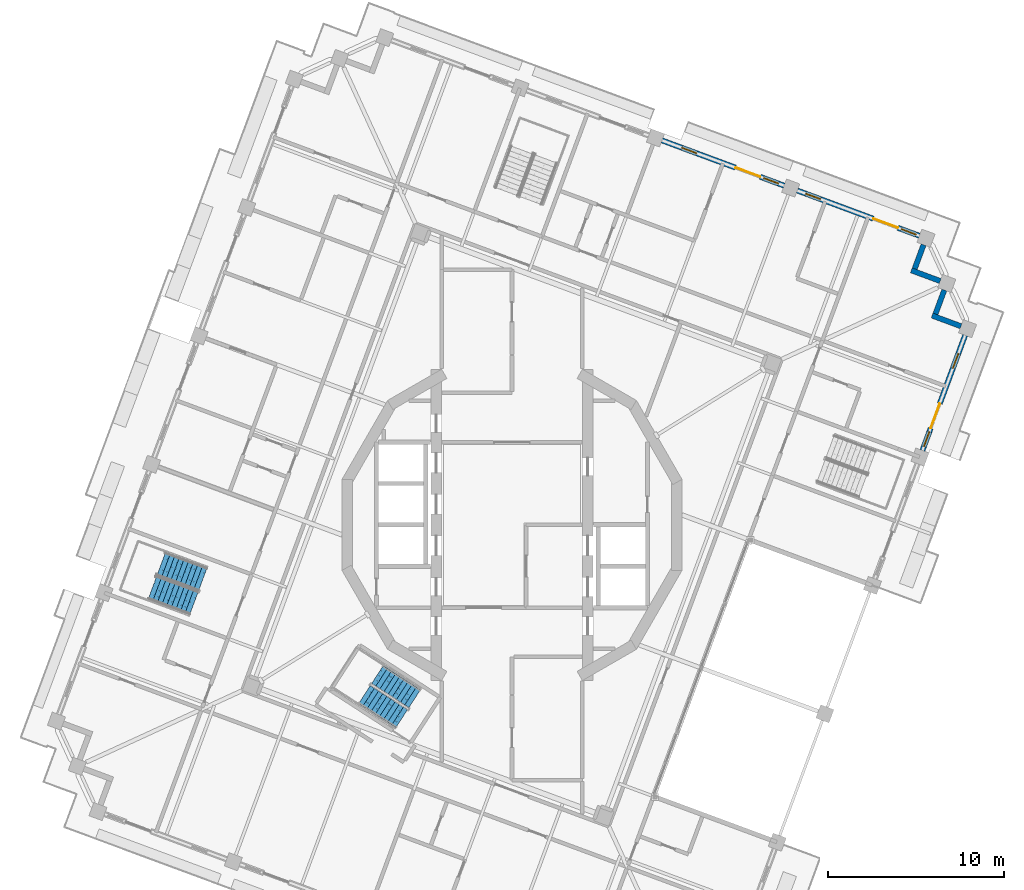
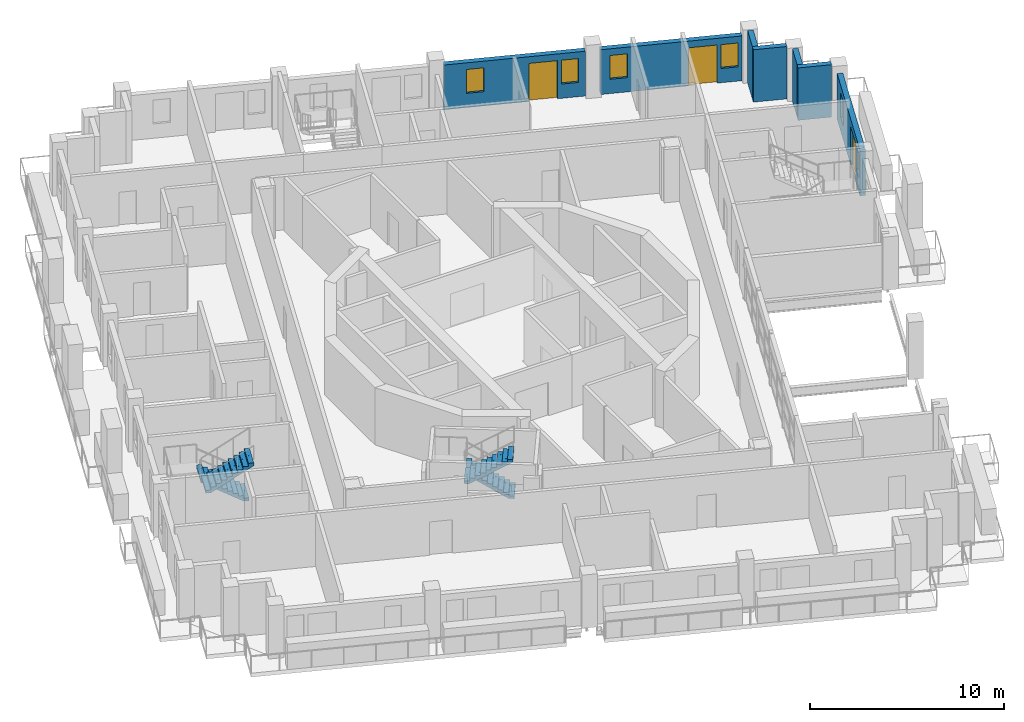
# One storey, part 11 of 19: 7 walls, 6 windows, 4 stair flights, 3 doors, 9 openings, 2 elements without a shape of their own.
"""IFC4 building model written with IfcOpenShell, lengths in metres."""

from ifc_helpers import new_model, si_unit, direction, frame, frame_2d, origin, place, context, subcontext, project, spatial, polyline, rectangle, outline, extrude, material, layer, layer_set, type_object, element, fill, aggregate, save


model = new_model("IFC4")

# Units and contexts
model_context = context("Model", 3, precision=1e-05, world=origin(), true_north=direction((0.0, 1.0)))
body_context = subcontext(model_context, "Body", "Model", "MODEL_VIEW")
ifc_project = project(units=[si_unit("LENGTHUNIT", "METRE"), si_unit("AREAUNIT", "SQUARE_METRE"), si_unit("VOLUMEUNIT", "CUBIC_METRE"), si_unit("PLANEANGLEUNIT", "RADIAN"), si_unit("MASSUNIT", "GRAM", prefix="KILO")], contexts=[model_context])

# Site, building, storey
site_placement = place(None, origin())
site = spatial("IfcSite", under=ifc_project, at=site_placement, CompositionType="ELEMENT")
building_placement = place(site_placement, origin())
building = spatial("IfcBuilding", under=site, at=building_placement, Name="Cantera Rosa Tower", CompositionType="ELEMENT")
storey_placement = place(building_placement, frame((0.0, 0.0, 334.89990234375)))
storey = spatial("IfcBuildingStorey", under=building, at=storey_placement, Name="L75", CompositionType="ELEMENT", Elevation=334.89990234375)

# Walls
ifc_material_1 = material(Name="Hollow clay masonry with cantera stone cladding", Category="masonry")
ifc_layer_1 = layer(ifc_material_1, 0.300048828125)
ifc_layer_set_1 = layer_set([ifc_layer_1], Name="EW-LOGGIA 300")
wall_type_1 = type_object("IfcWallType", Name="EW-LOGGIA 300", PredefinedType="SOLIDWALL", material=ifc_layer_set_1)
wall_1_placement = place(storey_placement, frame((25.51220703125, 11.288330078125, 0.0), z_axis=(0.0, 0.0, 1.0), x_axis=(-0.937669639538, 0.34752790836, 0.0)))
element("IfcWall", 1, at=wall_1_placement, inside=storey, type_object=wall_type_1, Name="EN-L75-W25a", PredefinedType="SOLIDWALL", context=body_context, shape_type="SweptSolid", body=[
    extrude(rectangle(XDim=1.75, YDim=0.300048828125, at=frame_2d((0.875, 0.0))), origin(), (0.0, 0.0, 1.0), 3.300048828125),
])
wall_2_placement = place(storey_placement, frame((24.06396484375, 11.985107421875, 0.0), z_axis=(0.0, 0.0, 1.0), x_axis=(0.347522732201, 0.937671557958, 0.0)))
element("IfcWall", 2, at=wall_2_placement, inside=storey, type_object=wall_type_1, Name="EN-L75-W25b", PredefinedType="SOLIDWALL", context=body_context, shape_type="SweptSolid", body=[
    extrude(rectangle(XDim=1.449951171875, YDim=0.300048828125, at=frame_2d((0.72509765625, 0.0))), origin(), (0.0, 0.0, 1.0), 3.300048828125),
])
wall_3_placement = place(storey_placement, frame((24.331787109375, 13.858642578125, 0.0), z_axis=(0.0, 0.0, 1.0), x_axis=(-0.937669639538, 0.34752790836, 0.0)))
element("IfcWall", 3, at=wall_3_placement, inside=storey, type_object=wall_type_1, Name="EN-L75-W26a", PredefinedType="SOLIDWALL", context=body_context, shape_type="SweptSolid", body=[
    extrude(rectangle(XDim=1.75, YDim=0.300048828125, at=frame_2d((0.875, 0.0))), origin(), (0.0, 0.0, 1.0), 3.300048828125),
])
wall_4_placement = place(storey_placement, frame((22.883544921875, 14.555419921875, 0.0), z_axis=(0.0, 0.0, 1.0), x_axis=(0.347522732201, 0.937671557958, 0.0)))
element("IfcWall", 4, at=wall_4_placement, inside=storey, type_object=wall_type_1, Name="EN-L75-W26b", PredefinedType="SOLIDWALL", context=body_context, shape_type="SweptSolid", body=[
    extrude(rectangle(XDim=1.449951171875, YDim=0.300048828125, at=frame_2d((0.72509765625, 0.0))), origin(), (0.0, 0.0, 1.0), 3.300048828125),
])

# Wall, openings, windows, door
ifc_material_2 = material(Name="Hollow clay masonry with cantera stone cladding", Category="masonry")
ifc_layer_2 = layer(ifc_material_2, 0.300048828125)
ifc_layer_set_2 = layer_set([ifc_layer_2], Name="EW-LOGGIA 300 H2820")
wall_type_2 = type_object("IfcWallType", Name="EW-LOGGIA 300 H2820", PredefinedType="SOLIDWALL", material=ifc_layer_set_2)
wall_5_placement = place(storey_placement, frame((23.1513671875, 16.428955078125, 0.0), z_axis=(0.0, 0.0, 1.0), x_axis=(-0.937676706507, 0.347508840281, 0.0)))
wall_5 = element("IfcWall", 5, at=wall_5_placement, inside=storey, type_object=wall_type_2, Name="EN-L75-W01", PredefinedType="SOLIDWALL", context=body_context, shape_type="SweptSolid", body=[
    extrude(rectangle(XDim=7.39990234375, YDim=0.300048828125, at=frame_2d((3.699951171875, 0.0))), origin(), (0.0, 0.0, 1.0), 2.820068359375),
])
opening_1_placement = place(wall_5_placement, frame((0.199951171875, 0.0, 0.89990234375)))
opening_1 = element("IfcOpeningElement", 6, at=opening_1_placement, cuts=wall_5, Name="Opening L75-W01", PredefinedType="OPENING", context=body_context, shape_type="SweptSolid", body=[
    extrude(rectangle(XDim=0.89990234375, YDim=1.5, at=frame_2d((0.449951171875, 0.75))), frame((0.0, 0.159912109375, 0.0), z_axis=(0.0, -1.0, 0.0), x_axis=(1.0, 0.0, 0.0)), (0.0, 0.0, 1.0), 0.320068359375),
])
opening_2_placement = place(wall_5_placement, frame((1.300048828125, 0.0, 0.0)))
opening_2 = element("IfcOpeningElement", 7, at=opening_2_placement, cuts=wall_5, Name="Opening L75-TD02", PredefinedType="OPENING", context=body_context, shape_type="SweptSolid", body=[
    extrude(rectangle(XDim=1.5, YDim=2.39990234375, at=frame_2d((0.75, 1.199951171875))), frame((0.0, 0.159912109375, 0.0), z_axis=(0.0, -1.0, 0.0), x_axis=(1.0, 0.0, 0.0)), (0.0, 0.0, 1.0), 0.320068359375),
])
opening_3_placement = place(wall_5_placement, frame((6.0, 0.0, 0.89990234375)))
opening_3 = element("IfcOpeningElement", 8, at=opening_3_placement, cuts=wall_5, Name="Opening L75-W03", PredefinedType="OPENING", context=body_context, shape_type="SweptSolid", body=[
    extrude(rectangle(XDim=0.89990234375, YDim=1.5, at=frame_2d((0.449951171875, 0.75))), frame((0.0, 0.159912109375, 0.0), z_axis=(0.0, -1.0, 0.0), x_axis=(1.0, 0.0, 0.0)), (0.0, 0.0, 1.0), 0.320068359375),
])
ifc_material_3 = material(Name="Aluminium frame with clear glass", Category="aluminium")
window_type = type_object("IfcWindowType", Name="Residential window 900x1500", PartitioningType="SINGLE_PANEL", PredefinedType="WINDOW", material=ifc_material_3)
window_1_placement = place(opening_1_placement, origin())
window_1 = element("IfcWindow", 9, at=window_1_placement, inside=storey, type_object=window_type, Name="WINDOW L75-W01", OverallHeight=1.5, OverallWidth=0.89990234375, PartitioningType="SINGLE_PANEL", PredefinedType="WINDOW", context=body_context, shape_type="SweptSolid", body=[
    extrude(rectangle(XDim=0.89990234375, YDim=1.5, at=frame_2d((0.449951171875, 0.75))), frame((0.0, 0.030029296875, 0.0), z_axis=(0.0, -1.0, 0.0), x_axis=(1.0, 0.0, 0.0)), (0.0, 0.0, 1.0), 0.06005859375),
])
fill(opening_1, window_1)
window_2_placement = place(opening_3_placement, origin())
window_2 = element("IfcWindow", 10, at=window_2_placement, inside=storey, type_object=window_type, Name="WINDOW L75-W03", OverallHeight=1.5, OverallWidth=0.89990234375, PartitioningType="SINGLE_PANEL", PredefinedType="WINDOW", context=body_context, shape_type="SweptSolid", body=[
    extrude(rectangle(XDim=0.89990234375, YDim=1.5, at=frame_2d((0.449951171875, 0.75))), frame((0.0, 0.030029296875, 0.0), z_axis=(0.0, -1.0, 0.0), x_axis=(1.0, 0.0, 0.0)), (0.0, 0.0, 1.0), 0.06005859375),
])
fill(opening_3, window_2)
ifc_material_4 = material(Name="Aluminium frame with clear glass", Category="aluminium")
door_type = type_object("IfcDoorType", Name="TD-R 1500x2400", OperationType="NOTDEFINED", PredefinedType="DOOR", material=ifc_material_4)
door_1_placement = place(opening_2_placement, origin())
door_1 = element("IfcDoor", 11, at=door_1_placement, inside=storey, type_object=door_type, Name="LOGGIA DOOR L75-TD02", OperationType="SLIDING_TO_LEFT", OverallHeight=2.39990234375, OverallWidth=1.5, PredefinedType="DOOR", context=body_context, shape_type="SweptSolid", body=[
    extrude(rectangle(XDim=1.5, YDim=2.39990234375, at=frame_2d((0.75, 1.199951171875))), frame((0.0, 0.02490234375, 0.0), z_axis=(0.0, -1.0, 0.0), x_axis=(1.0, 0.0, 0.0)), (0.0, 0.0, 1.0), 0.050048828125),
])
fill(opening_2, door_1)

wall_6_placement = place(storey_placement, frame((15.46240234375, 19.2783203125, 0.0), z_axis=(0.0, 0.0, 1.0), x_axis=(-0.937680690562, 0.34749808999, 0.0)))
wall_6 = element("IfcWall", 12, at=wall_6_placement, inside=storey, type_object=wall_type_2, Name="EN-L75-W02", PredefinedType="SOLIDWALL", context=body_context, shape_type="SweptSolid", body=[
    extrude(rectangle(XDim=7.400146484375, YDim=0.300048828125, at=frame_2d((3.7001953125, 0.0))), origin(), (0.0, 0.0, 1.0), 2.820068359375),
])
opening_4_placement = place(wall_6_placement, frame((0.35009765625, 0.0, 0.89990234375)))
opening_4 = element("IfcOpeningElement", 13, at=opening_4_placement, cuts=wall_6, Name="Opening L75-W04", PredefinedType="OPENING", context=body_context, shape_type="SweptSolid", body=[
    extrude(rectangle(XDim=0.89990234375, YDim=1.5, at=frame_2d((0.449951171875, 0.75))), frame((0.0, 0.159912109375, 0.0), z_axis=(0.0, -1.0, 0.0), x_axis=(1.0, 0.0, 0.0)), (0.0, 0.0, 1.0), 0.320068359375),
])
opening_5_placement = place(wall_6_placement, frame((1.449951171875, 0.0, 0.0)))
opening_5 = element("IfcOpeningElement", 14, at=opening_5_placement, cuts=wall_6, Name="Opening L75-TD05", PredefinedType="OPENING", context=body_context, shape_type="SweptSolid", body=[
    extrude(rectangle(XDim=1.5, YDim=2.39990234375, at=frame_2d((0.75, 1.199951171875))), frame((0.0, 0.159912109375, 0.0), z_axis=(0.0, -1.0, 0.0), x_axis=(1.0, 0.0, 0.0)), (0.0, 0.0, 1.0), 0.320068359375),
])
opening_6_placement = place(wall_6_placement, frame((5.300048828125, 0.0, 0.89990234375)))
opening_6 = element("IfcOpeningElement", 15, at=opening_6_placement, cuts=wall_6, Name="Opening L75-W06", PredefinedType="OPENING", context=body_context, shape_type="SweptSolid", body=[
    extrude(rectangle(XDim=0.89990234375, YDim=1.5, at=frame_2d((0.449951171875, 0.75))), frame((0.0, 0.159912109375, 0.0), z_axis=(0.0, -1.0, 0.0), x_axis=(1.0, 0.0, 0.0)), (0.0, 0.0, 1.0), 0.320068359375),
])
window_3_placement = place(opening_4_placement, origin())
window_3 = element("IfcWindow", 16, at=window_3_placement, inside=storey, type_object=window_type, Name="WINDOW L75-W04", OverallHeight=1.5, OverallWidth=0.89990234375, PartitioningType="SINGLE_PANEL", PredefinedType="WINDOW", context=body_context, shape_type="SweptSolid", body=[
    extrude(rectangle(XDim=0.89990234375, YDim=1.5, at=frame_2d((0.449951171875, 0.75))), frame((0.0, 0.030029296875, 0.0), z_axis=(0.0, -1.0, 0.0), x_axis=(1.0, 0.0, 0.0)), (0.0, 0.0, 1.0), 0.06005859375),
])
fill(opening_4, window_3)
window_4_placement = place(opening_6_placement, origin())
window_4 = element("IfcWindow", 17, at=window_4_placement, inside=storey, type_object=window_type, Name="WINDOW L75-W06", OverallHeight=1.5, OverallWidth=0.89990234375, PartitioningType="SINGLE_PANEL", PredefinedType="WINDOW", context=body_context, shape_type="SweptSolid", body=[
    extrude(rectangle(XDim=0.89990234375, YDim=1.5, at=frame_2d((0.449951171875, 0.75))), frame((0.0, 0.030029296875, 0.0), z_axis=(0.0, -1.0, 0.0), x_axis=(1.0, 0.0, 0.0)), (0.0, 0.0, 1.0), 0.06005859375),
])
fill(opening_6, window_4)
door_2_placement = place(opening_5_placement, origin())
door_2 = element("IfcDoor", 18, at=door_2_placement, inside=storey, type_object=door_type, Name="LOGGIA DOOR L75-TD05", OperationType="SLIDING_TO_LEFT", OverallHeight=2.39990234375, OverallWidth=1.5, PredefinedType="DOOR", context=body_context, shape_type="SweptSolid", body=[
    extrude(rectangle(XDim=1.5, YDim=2.39990234375, at=frame_2d((0.75, 1.199951171875))), frame((0.0, 0.02490234375, 0.0), z_axis=(0.0, -1.0, 0.0), x_axis=(1.0, 0.0, 0.0)), (0.0, 0.0, 1.0), 0.050048828125),
])
fill(opening_5, door_2)

ifc_material_5 = material(Name="Hollow clay masonry with cantera stone cladding", Category="masonry")
ifc_layer_3 = layer(ifc_material_5, 0.300048828125)
ifc_layer_set_3 = layer_set([ifc_layer_3], Name="EW-LOGGIA 300 H2890")
wall_type_3 = type_object("IfcWallType", Name="EW-LOGGIA 300 H2890", PredefinedType="SOLIDWALL", material=ifc_layer_set_3)
wall_7_placement = place(storey_placement, frame((23.322998046875, 4.229248046875, 0.0), z_axis=(0.0, 0.0, 1.0), x_axis=(0.347460165909, 0.937694744097, 0.0)))
wall_7 = element("IfcWall", 19, at=wall_7_placement, inside=storey, type_object=wall_type_3, Name="EN-L75-W24", PredefinedType="SOLIDWALL", context=body_context, shape_type="SweptSolid", body=[
    extrude(rectangle(XDim=6.97998046875, YDim=0.300048828125, at=frame_2d((3.489990234375, 0.0))), origin(), (0.0, 0.0, 1.0), 2.89013671875),
])
opening_7_placement = place(wall_7_placement, frame((0.2451171875, 0.0, 0.89990234375)))
opening_7 = element("IfcOpeningElement", 20, at=opening_7_placement, cuts=wall_7, Name="Opening L75-W46", PredefinedType="OPENING", context=body_context, shape_type="SweptSolid", body=[
    extrude(rectangle(XDim=0.89990234375, YDim=1.5, at=frame_2d((0.449951171875, 0.75))), frame((0.0, 0.159912109375, 0.0), z_axis=(0.0, -1.0, 0.0), x_axis=(1.0, 0.0, 0.0)), (0.0, 0.0, 1.0), 0.320068359375),
])
opening_8_placement = place(wall_7_placement, frame((1.344970703125, 0.0, 0.0)))
opening_8 = element("IfcOpeningElement", 21, at=opening_8_placement, cuts=wall_7, Name="Opening L75-TD47", PredefinedType="OPENING", context=body_context, shape_type="SweptSolid", body=[
    extrude(rectangle(XDim=1.5, YDim=2.39990234375, at=frame_2d((0.75, 1.199951171875))), frame((0.0, 0.159912109375, 0.0), z_axis=(0.0, -1.0, 0.0), x_axis=(1.0, 0.0, 0.0)), (0.0, 0.0, 1.0), 0.320068359375),
])
opening_9_placement = place(wall_7_placement, frame((4.985107421875, 0.0, 0.89990234375)))
opening_9 = element("IfcOpeningElement", 22, at=opening_9_placement, cuts=wall_7, Name="Opening L75-W48", PredefinedType="OPENING", context=body_context, shape_type="SweptSolid", body=[
    extrude(rectangle(XDim=0.89990234375, YDim=1.5, at=frame_2d((0.449951171875, 0.75))), frame((0.0, 0.159912109375, 0.0), z_axis=(0.0, -1.0, 0.0), x_axis=(1.0, 0.0, 0.0)), (0.0, 0.0, 1.0), 0.320068359375),
])
window_5_placement = place(opening_7_placement, origin())
window_5 = element("IfcWindow", 23, at=window_5_placement, inside=storey, type_object=window_type, Name="WINDOW L75-W46", OverallHeight=1.5, OverallWidth=0.89990234375, PartitioningType="SINGLE_PANEL", PredefinedType="WINDOW", context=body_context, shape_type="SweptSolid", body=[
    extrude(rectangle(XDim=0.89990234375, YDim=1.5, at=frame_2d((0.449951171875, 0.75))), frame((0.0, 0.030029296875, 0.0), z_axis=(0.0, -1.0, 0.0), x_axis=(1.0, 0.0, 0.0)), (0.0, 0.0, 1.0), 0.06005859375),
])
fill(opening_7, window_5)
window_6_placement = place(opening_9_placement, origin())
window_6 = element("IfcWindow", 24, at=window_6_placement, inside=storey, type_object=window_type, Name="WINDOW L75-W48", OverallHeight=1.5, OverallWidth=0.89990234375, PartitioningType="SINGLE_PANEL", PredefinedType="WINDOW", context=body_context, shape_type="SweptSolid", body=[
    extrude(rectangle(XDim=0.89990234375, YDim=1.5, at=frame_2d((0.449951171875, 0.75))), frame((0.0, 0.030029296875, 0.0), z_axis=(0.0, -1.0, 0.0), x_axis=(1.0, 0.0, 0.0)), (0.0, 0.0, 1.0), 0.06005859375),
])
fill(opening_9, window_6)
door_3_placement = place(opening_8_placement, origin())
door_3 = element("IfcDoor", 25, at=door_3_placement, inside=storey, type_object=door_type, Name="LOGGIA DOOR L75-TD47", OperationType="SLIDING_TO_LEFT", OverallHeight=2.39990234375, OverallWidth=1.5, PredefinedType="DOOR", context=body_context, shape_type="SweptSolid", body=[
    extrude(rectangle(XDim=1.5, YDim=2.39990234375, at=frame_2d((0.75, 1.199951171875))), frame((0.0, 0.02490234375, 0.0), z_axis=(0.0, -1.0, 0.0), x_axis=(1.0, 0.0, 0.0)), (0.0, 0.0, 1.0), 0.050048828125),
])
fill(opening_8, door_3)

# Stair, stair flights
ifc_material_6 = material(Name="Concrete C35/45", Category="concrete")
stair_type_1 = type_object("IfcStairType", Name="EXIT STAIR 1200 DOGLEG", PredefinedType="HALF_TURN_STAIR", material=ifc_material_6)
stair_1_placement = place(storey_placement, origin())
stair_1 = element("IfcStair", 26, at=stair_1_placement, inside=storey, type_object=stair_type_1, Name="L75 ST-64", PredefinedType="HALF_TURN_STAIR")
ifc_material_7 = material(Name="Concrete C35/45", Category="concrete")
stair_flight_type_1 = type_object("IfcStairFlightType", Name="STAIR FLIGHT 1200 R20x180", PredefinedType="STRAIGHT", material=ifc_material_7)
stair_flight_1_placement = place(storey_placement, frame((-5.532470703125, -9.878173828125, 0.0), z_axis=(0.0, 0.0, 1.0), x_axis=(-0.838670567945, 0.544639035015, 0.0)))
stair_flight_1 = element("IfcStairFlight", 27, at=stair_flight_1_placement, type_object=stair_flight_type_1, Name="ST-64 flight 1", NumberOfRisers=10, NumberOfTreads=9, PredefinedType="STRAIGHT", RiserHeight=0.18, TreadLength=0.28, context=body_context, shape_type="SweptSolid", body=[
    extrude(outline(polyline([(0.0, 0.0), (0.0, 0.179931640625), (0.280029296875, 0.179931640625), (0.280029296875, 0.360107421875), (0.56005859375, 0.360107421875), (0.56005859375, 0.5400390625), (0.840087890625, 0.5400390625), (0.840087890625, 0.719970703125), (1.1201171875, 0.719970703125), (1.1201171875, 0.89990234375), (1.39990234375, 0.89990234375), (1.39990234375, 1.080078125), (1.679931640625, 1.080078125), (1.679931640625, 1.260009765625), (1.9599609375, 1.260009765625), (1.9599609375, 1.43994140625), (2.239990234375, 1.43994140625), (2.239990234375, 1.6201171875), (2.52001953125, 1.6201171875), (2.52001953125, 1.800048828125), (2.52001953125, 1.44189453125), (0.277099609375, 0.0), (0.0, 0.0)])), frame((0.0, 0.60009765625, 0.0), z_axis=(0.0, -1.0, 0.0), x_axis=(1.0, 0.0, 0.0)), (0.0, 0.0, 1.0), 0.298583984375),
    extrude(outline(polyline([(0.0, 0.0), (0.0, 0.179931640625), (0.280029296875, 0.179931640625), (0.280029296875, 0.360107421875), (0.56005859375, 0.360107421875), (0.56005859375, 0.5400390625), (0.840087890625, 0.5400390625), (0.840087890625, 0.719970703125), (1.1201171875, 0.719970703125), (1.1201171875, 0.89990234375), (1.39990234375, 0.89990234375), (1.39990234375, 1.080078125), (1.679931640625, 1.080078125), (1.679931640625, 1.260009765625), (1.9599609375, 1.260009765625), (1.9599609375, 1.43994140625), (2.239990234375, 1.43994140625), (2.239990234375, 1.6201171875), (2.52001953125, 1.6201171875), (2.52001953125, 1.800048828125), (2.52001953125, 1.44189453125), (0.277099609375, 0.0), (0.0, 0.0)])), frame((0.0, 0.29931640625, 0.0), z_axis=(0.0, -1.0, 0.0), x_axis=(1.0, 0.0, 0.0)), (0.0, 0.0, 1.0), 0.298583984375),
    extrude(outline(polyline([(0.0, 0.0), (0.0, 0.179931640625), (0.280029296875, 0.179931640625), (0.280029296875, 0.360107421875), (0.56005859375, 0.360107421875), (0.56005859375, 0.5400390625), (0.840087890625, 0.5400390625), (0.840087890625, 0.719970703125), (1.1201171875, 0.719970703125), (1.1201171875, 0.89990234375), (1.39990234375, 0.89990234375), (1.39990234375, 1.080078125), (1.679931640625, 1.080078125), (1.679931640625, 1.260009765625), (1.9599609375, 1.260009765625), (1.9599609375, 1.43994140625), (2.239990234375, 1.43994140625), (2.239990234375, 1.6201171875), (2.52001953125, 1.6201171875), (2.52001953125, 1.800048828125), (2.52001953125, 1.44189453125), (0.277099609375, 0.0), (0.0, 0.0)])), frame((0.0, -0.0009765625, 0.0), z_axis=(0.0, -1.0, 0.0), x_axis=(1.0, 0.0, 0.0)), (0.0, 0.0, 1.0), 0.298583984375),
    extrude(outline(polyline([(0.0, 0.0), (0.0, 0.179931640625), (0.280029296875, 0.179931640625), (0.280029296875, 0.360107421875), (0.56005859375, 0.360107421875), (0.56005859375, 0.5400390625), (0.840087890625, 0.5400390625), (0.840087890625, 0.719970703125), (1.1201171875, 0.719970703125), (1.1201171875, 0.89990234375), (1.39990234375, 0.89990234375), (1.39990234375, 1.080078125), (1.679931640625, 1.080078125), (1.679931640625, 1.260009765625), (1.9599609375, 1.260009765625), (1.9599609375, 1.43994140625), (2.239990234375, 1.43994140625), (2.239990234375, 1.6201171875), (2.52001953125, 1.6201171875), (2.52001953125, 1.800048828125), (2.52001953125, 1.44189453125), (0.277099609375, 0.0), (0.0, 0.0)])), frame((0.0, -0.3017578125, 0.0), z_axis=(0.0, -1.0, 0.0), x_axis=(1.0, 0.0, 0.0)), (0.0, 0.0, 1.0), 0.298583984375),
])
stair_flight_2_placement = place(storey_placement, frame((-8.381103515625, -9.6376953125, 1.800048828125), z_axis=(0.0, 0.0, 1.0), x_axis=(0.838670567945, -0.544639035015, 0.0)))
stair_flight_2 = element("IfcStairFlight", 28, at=stair_flight_2_placement, type_object=stair_flight_type_1, Name="ST-64 flight 2", NumberOfRisers=10, NumberOfTreads=9, PredefinedType="STRAIGHT", RiserHeight=0.18, TreadLength=0.28, context=body_context, shape_type="SweptSolid", body=[
    extrude(outline(polyline([(0.0, 0.0), (0.0, 0.179931640625), (0.280029296875, 0.179931640625), (0.280029296875, 0.360107421875), (0.56005859375, 0.360107421875), (0.56005859375, 0.5400390625), (0.840087890625, 0.5400390625), (0.840087890625, 0.719970703125), (1.1201171875, 0.719970703125), (1.1201171875, 0.89990234375), (1.39990234375, 0.89990234375), (1.39990234375, 1.080078125), (1.679931640625, 1.080078125), (1.679931640625, 1.260009765625), (1.9599609375, 1.260009765625), (1.9599609375, 1.43994140625), (2.239990234375, 1.43994140625), (2.239990234375, 1.6201171875), (2.52001953125, 1.6201171875), (2.52001953125, 1.800048828125), (2.52001953125, 1.44189453125), (0.277099609375, 0.0), (0.0, 0.0)])), frame((0.0, 0.60009765625, 0.0), z_axis=(0.0, -1.0, 0.0), x_axis=(1.0, 0.0, 0.0)), (0.0, 0.0, 1.0), 0.298583984375),
    extrude(outline(polyline([(0.0, 0.0), (0.0, 0.179931640625), (0.280029296875, 0.179931640625), (0.280029296875, 0.360107421875), (0.56005859375, 0.360107421875), (0.56005859375, 0.5400390625), (0.840087890625, 0.5400390625), (0.840087890625, 0.719970703125), (1.1201171875, 0.719970703125), (1.1201171875, 0.89990234375), (1.39990234375, 0.89990234375), (1.39990234375, 1.080078125), (1.679931640625, 1.080078125), (1.679931640625, 1.260009765625), (1.9599609375, 1.260009765625), (1.9599609375, 1.43994140625), (2.239990234375, 1.43994140625), (2.239990234375, 1.6201171875), (2.52001953125, 1.6201171875), (2.52001953125, 1.800048828125), (2.52001953125, 1.44189453125), (0.277099609375, 0.0), (0.0, 0.0)])), frame((0.0, 0.29931640625, 0.0), z_axis=(0.0, -1.0, 0.0), x_axis=(1.0, 0.0, 0.0)), (0.0, 0.0, 1.0), 0.298583984375),
    extrude(outline(polyline([(0.0, 0.0), (0.0, 0.179931640625), (0.280029296875, 0.179931640625), (0.280029296875, 0.360107421875), (0.56005859375, 0.360107421875), (0.56005859375, 0.5400390625), (0.840087890625, 0.5400390625), (0.840087890625, 0.719970703125), (1.1201171875, 0.719970703125), (1.1201171875, 0.89990234375), (1.39990234375, 0.89990234375), (1.39990234375, 1.080078125), (1.679931640625, 1.080078125), (1.679931640625, 1.260009765625), (1.9599609375, 1.260009765625), (1.9599609375, 1.43994140625), (2.239990234375, 1.43994140625), (2.239990234375, 1.6201171875), (2.52001953125, 1.6201171875), (2.52001953125, 1.800048828125), (2.52001953125, 1.44189453125), (0.277099609375, 0.0), (0.0, 0.0)])), frame((0.0, -0.0009765625, 0.0), z_axis=(0.0, -1.0, 0.0), x_axis=(1.0, 0.0, 0.0)), (0.0, 0.0, 1.0), 0.298583984375),
    extrude(outline(polyline([(0.0, 0.0), (0.0, 0.179931640625), (0.280029296875, 0.179931640625), (0.280029296875, 0.360107421875), (0.56005859375, 0.360107421875), (0.56005859375, 0.5400390625), (0.840087890625, 0.5400390625), (0.840087890625, 0.719970703125), (1.1201171875, 0.719970703125), (1.1201171875, 0.89990234375), (1.39990234375, 0.89990234375), (1.39990234375, 1.080078125), (1.679931640625, 1.080078125), (1.679931640625, 1.260009765625), (1.9599609375, 1.260009765625), (1.9599609375, 1.43994140625), (2.239990234375, 1.43994140625), (2.239990234375, 1.6201171875), (2.52001953125, 1.6201171875), (2.52001953125, 1.800048828125), (2.52001953125, 1.44189453125), (0.277099609375, 0.0), (0.0, 0.0)])), frame((0.0, -0.3017578125, 0.0), z_axis=(0.0, -1.0, 0.0), x_axis=(1.0, 0.0, 0.0)), (0.0, 0.0, 1.0), 0.298583984375),
])
aggregate(stair_1, [stair_flight_1, stair_flight_2])

ifc_material_8 = material(Name="Concrete C35/45", Category="concrete")
stair_type_2 = type_object("IfcStairType", Name="EXIT STAIR 1350 DOGLEG", PredefinedType="HALF_TURN_STAIR", material=ifc_material_8)
stair_2_placement = place(storey_placement, origin())
stair_2 = element("IfcStair", 29, at=stair_2_placement, inside=storey, type_object=stair_type_2, Name="L75 ST-63", PredefinedType="HALF_TURN_STAIR")
ifc_material_9 = material(Name="Concrete C35/45", Category="concrete")
stair_flight_type_2 = type_object("IfcStairFlightType", Name="STAIR FLIGHT 1350 R20x180", PredefinedType="STRAIGHT", material=ifc_material_9)
stair_flight_3_placement = place(storey_placement, frame((-17.55908203125, -3.064453125, 0.0), z_axis=(0.0, 0.0, 1.0), x_axis=(-0.937686938944, 0.347481229039, 0.0)))
stair_flight_3 = element("IfcStairFlight", 30, at=stair_flight_3_placement, type_object=stair_flight_type_2, Name="ST-63 flight 1", NumberOfRisers=10, NumberOfTreads=9, PredefinedType="STRAIGHT", RiserHeight=0.18, TreadLength=0.28, context=body_context, shape_type="SweptSolid", body=[
    extrude(outline(polyline([(0.0, 0.0), (0.0, 0.179931640625), (0.280029296875, 0.179931640625), (0.280029296875, 0.360107421875), (0.56005859375, 0.360107421875), (0.56005859375, 0.5400390625), (0.840087890625, 0.5400390625), (0.840087890625, 0.719970703125), (1.1201171875, 0.719970703125), (1.1201171875, 0.89990234375), (1.39990234375, 0.89990234375), (1.39990234375, 1.080078125), (1.679931640625, 1.080078125), (1.679931640625, 1.260009765625), (1.9599609375, 1.260009765625), (1.9599609375, 1.43994140625), (2.239990234375, 1.43994140625), (2.239990234375, 1.6201171875), (2.52001953125, 1.6201171875), (2.52001953125, 1.800048828125), (2.52001953125, 1.44189453125), (0.277099609375, 0.0), (0.0, 0.0)])), frame((0.0, 0.675048828125, 0.0), z_axis=(0.0, -1.0, 0.0), x_axis=(1.0, 0.0, 0.0)), (0.0, 0.0, 1.0), 0.3359375),
    extrude(outline(polyline([(0.0, 0.0), (0.0, 0.179931640625), (0.280029296875, 0.179931640625), (0.280029296875, 0.360107421875), (0.56005859375, 0.360107421875), (0.56005859375, 0.5400390625), (0.840087890625, 0.5400390625), (0.840087890625, 0.719970703125), (1.1201171875, 0.719970703125), (1.1201171875, 0.89990234375), (1.39990234375, 0.89990234375), (1.39990234375, 1.080078125), (1.679931640625, 1.080078125), (1.679931640625, 1.260009765625), (1.9599609375, 1.260009765625), (1.9599609375, 1.43994140625), (2.239990234375, 1.43994140625), (2.239990234375, 1.6201171875), (2.52001953125, 1.6201171875), (2.52001953125, 1.800048828125), (2.52001953125, 1.44189453125), (0.277099609375, 0.0), (0.0, 0.0)])), frame((0.0, 0.337158203125, 0.0), z_axis=(0.0, -1.0, 0.0), x_axis=(1.0, 0.0, 0.0)), (0.0, 0.0, 1.0), 0.3359375),
    extrude(outline(polyline([(0.0, 0.0), (0.0, 0.179931640625), (0.280029296875, 0.179931640625), (0.280029296875, 0.360107421875), (0.56005859375, 0.360107421875), (0.56005859375, 0.5400390625), (0.840087890625, 0.5400390625), (0.840087890625, 0.719970703125), (1.1201171875, 0.719970703125), (1.1201171875, 0.89990234375), (1.39990234375, 0.89990234375), (1.39990234375, 1.080078125), (1.679931640625, 1.080078125), (1.679931640625, 1.260009765625), (1.9599609375, 1.260009765625), (1.9599609375, 1.43994140625), (2.239990234375, 1.43994140625), (2.239990234375, 1.6201171875), (2.52001953125, 1.6201171875), (2.52001953125, 1.800048828125), (2.52001953125, 1.44189453125), (0.277099609375, 0.0), (0.0, 0.0)])), frame((0.0, -0.000732421875, 0.0), z_axis=(0.0, -1.0, 0.0), x_axis=(1.0, 0.0, 0.0)), (0.0, 0.0, 1.0), 0.3359375),
    extrude(outline(polyline([(0.0, 0.0), (0.0, 0.179931640625), (0.280029296875, 0.179931640625), (0.280029296875, 0.360107421875), (0.56005859375, 0.360107421875), (0.56005859375, 0.5400390625), (0.840087890625, 0.5400390625), (0.840087890625, 0.719970703125), (1.1201171875, 0.719970703125), (1.1201171875, 0.89990234375), (1.39990234375, 0.89990234375), (1.39990234375, 1.080078125), (1.679931640625, 1.080078125), (1.679931640625, 1.260009765625), (1.9599609375, 1.260009765625), (1.9599609375, 1.43994140625), (2.239990234375, 1.43994140625), (2.239990234375, 1.6201171875), (2.52001953125, 1.6201171875), (2.52001953125, 1.800048828125), (2.52001953125, 1.44189453125), (0.277099609375, 0.0), (0.0, 0.0)])), frame((0.0, -0.338623046875, 0.0), z_axis=(0.0, -1.0, 0.0), x_axis=(1.0, 0.0, 0.0)), (0.0, 0.0, 1.0), 0.3359375),
])
stair_flight_4_placement = place(storey_placement, frame((-20.443115234375, -3.595458984375, 1.800048828125), z_axis=(0.0, 0.0, 1.0), x_axis=(0.937686938944, -0.347481229039, 0.0)))
stair_flight_4 = element("IfcStairFlight", 31, at=stair_flight_4_placement, type_object=stair_flight_type_2, Name="ST-63 flight 2", NumberOfRisers=10, NumberOfTreads=9, PredefinedType="STRAIGHT", RiserHeight=0.18, TreadLength=0.28, context=body_context, shape_type="SweptSolid", body=[
    extrude(outline(polyline([(0.0, 0.0), (0.0, 0.179931640625), (0.280029296875, 0.179931640625), (0.280029296875, 0.360107421875), (0.56005859375, 0.360107421875), (0.56005859375, 0.5400390625), (0.840087890625, 0.5400390625), (0.840087890625, 0.719970703125), (1.1201171875, 0.719970703125), (1.1201171875, 0.89990234375), (1.39990234375, 0.89990234375), (1.39990234375, 1.080078125), (1.679931640625, 1.080078125), (1.679931640625, 1.260009765625), (1.9599609375, 1.260009765625), (1.9599609375, 1.43994140625), (2.239990234375, 1.43994140625), (2.239990234375, 1.6201171875), (2.52001953125, 1.6201171875), (2.52001953125, 1.800048828125), (2.52001953125, 1.44189453125), (0.277099609375, 0.0), (0.0, 0.0)])), frame((0.0, 0.675048828125, 0.0), z_axis=(0.0, -1.0, 0.0), x_axis=(1.0, 0.0, 0.0)), (0.0, 0.0, 1.0), 0.3359375),
    extrude(outline(polyline([(0.0, 0.0), (0.0, 0.179931640625), (0.280029296875, 0.179931640625), (0.280029296875, 0.360107421875), (0.56005859375, 0.360107421875), (0.56005859375, 0.5400390625), (0.840087890625, 0.5400390625), (0.840087890625, 0.719970703125), (1.1201171875, 0.719970703125), (1.1201171875, 0.89990234375), (1.39990234375, 0.89990234375), (1.39990234375, 1.080078125), (1.679931640625, 1.080078125), (1.679931640625, 1.260009765625), (1.9599609375, 1.260009765625), (1.9599609375, 1.43994140625), (2.239990234375, 1.43994140625), (2.239990234375, 1.6201171875), (2.52001953125, 1.6201171875), (2.52001953125, 1.800048828125), (2.52001953125, 1.44189453125), (0.277099609375, 0.0), (0.0, 0.0)])), frame((0.0, 0.337158203125, 0.0), z_axis=(0.0, -1.0, 0.0), x_axis=(1.0, 0.0, 0.0)), (0.0, 0.0, 1.0), 0.3359375),
    extrude(outline(polyline([(0.0, 0.0), (0.0, 0.179931640625), (0.280029296875, 0.179931640625), (0.280029296875, 0.360107421875), (0.56005859375, 0.360107421875), (0.56005859375, 0.5400390625), (0.840087890625, 0.5400390625), (0.840087890625, 0.719970703125), (1.1201171875, 0.719970703125), (1.1201171875, 0.89990234375), (1.39990234375, 0.89990234375), (1.39990234375, 1.080078125), (1.679931640625, 1.080078125), (1.679931640625, 1.260009765625), (1.9599609375, 1.260009765625), (1.9599609375, 1.43994140625), (2.239990234375, 1.43994140625), (2.239990234375, 1.6201171875), (2.52001953125, 1.6201171875), (2.52001953125, 1.800048828125), (2.52001953125, 1.44189453125), (0.277099609375, 0.0), (0.0, 0.0)])), frame((0.0, -0.000732421875, 0.0), z_axis=(0.0, -1.0, 0.0), x_axis=(1.0, 0.0, 0.0)), (0.0, 0.0, 1.0), 0.3359375),
    extrude(outline(polyline([(0.0, 0.0), (0.0, 0.179931640625), (0.280029296875, 0.179931640625), (0.280029296875, 0.360107421875), (0.56005859375, 0.360107421875), (0.56005859375, 0.5400390625), (0.840087890625, 0.5400390625), (0.840087890625, 0.719970703125), (1.1201171875, 0.719970703125), (1.1201171875, 0.89990234375), (1.39990234375, 0.89990234375), (1.39990234375, 1.080078125), (1.679931640625, 1.080078125), (1.679931640625, 1.260009765625), (1.9599609375, 1.260009765625), (1.9599609375, 1.43994140625), (2.239990234375, 1.43994140625), (2.239990234375, 1.6201171875), (2.52001953125, 1.6201171875), (2.52001953125, 1.800048828125), (2.52001953125, 1.44189453125), (0.277099609375, 0.0), (0.0, 0.0)])), frame((0.0, -0.338623046875, 0.0), z_axis=(0.0, -1.0, 0.0), x_axis=(1.0, 0.0, 0.0)), (0.0, 0.0, 1.0), 0.3359375),
])
aggregate(stair_2, [stair_flight_3, stair_flight_4])

save(model, "model.ifc")
